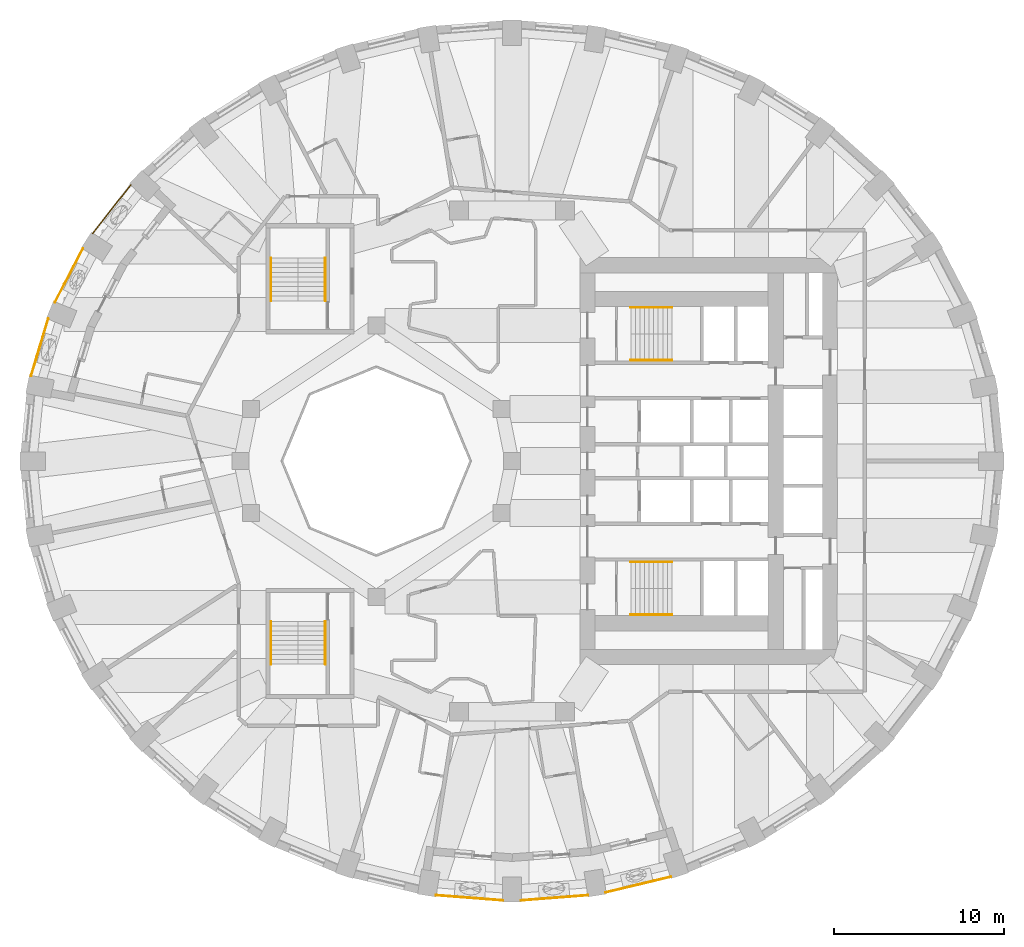
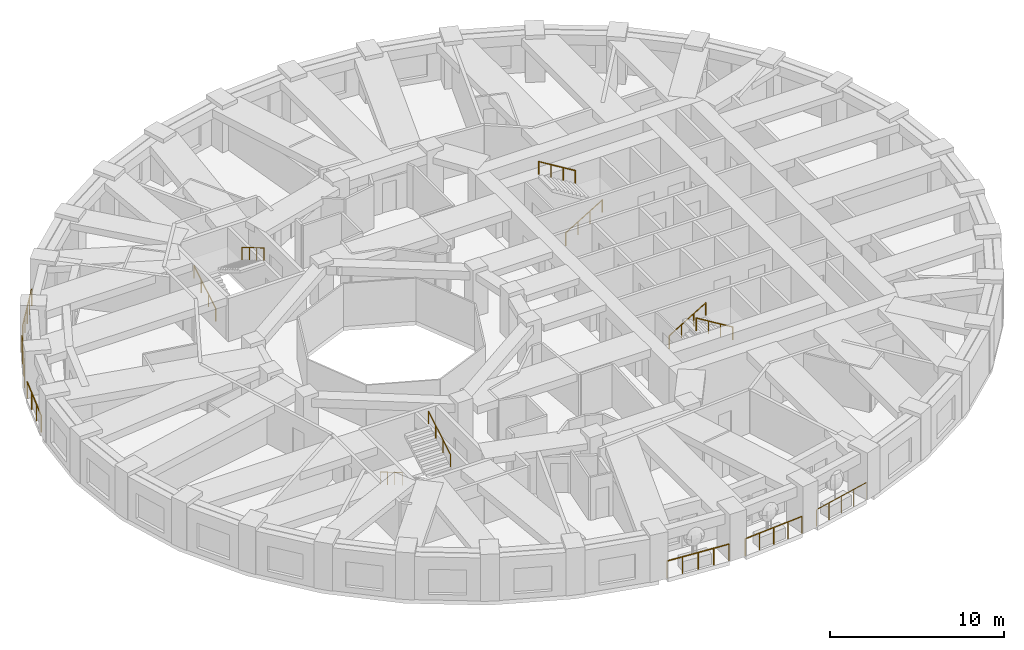
# One storey, part 11 of 13: 14 railings.
"""IFC4 building model written with IfcOpenShell, lengths in metres."""

import ifcopenshell
import ifcopenshell.guid

model = None  # the IFC model being written
_history = None  # IfcOwnerHistory: only IFC2X3 demands one
_inside = {}  # id of a spatial element -> (the spatial element, [elements in it])
_under = {}  # id of a project, library or spatial element -> (it, [spatial elements below it])
_declared = {}  # id of a project -> (the project, [libraries it declares])
_typed = {}  # id of a type object -> (the type object, [elements of that type])
_made_of = {}  # id of a material, layer set ... -> (it, [elements and type objects made of it])


def new_model(schema):
    """Start an empty IFC model of exactly this schema.

    Asked for "IFC4X3", IfcOpenShell would pick the latest addendum, in which some entities
    have other attributes; the version numbers below select the first issue.
    IFC2X3 requires an IfcOwnerHistory on every rooted entity: one is made here for all.
    """
    global model, _history
    if schema == "IFC4X3":
        model = ifcopenshell.file(schema_version=(4, 3, 0, 0))
    else:
        model = ifcopenshell.file(schema=schema)
    _inside.clear()
    _under.clear()
    _declared.clear()
    _typed.clear()
    _made_of.clear()
    _history = None
    if model.schema == "IFC2X3":
        org = make("IfcOrganization", Name="unknown")
        user = make(
            "IfcPersonAndOrganization",
            ThePerson=make("IfcPerson", FamilyName="unknown"),
            TheOrganization=org,
        )
        app = make(
            "IfcApplication",
            ApplicationDeveloper=org,
            Version="unknown",
            ApplicationFullName="unknown",
            ApplicationIdentifier="unknown",
        )
        _history = make(
            "IfcOwnerHistory",
            OwningUser=user,
            OwningApplication=app,
            ChangeAction="ADDED",
            CreationDate=0,
        )
    return model


def make(cls, **values):
    """One entity of the class cls with the attributes given. An attribute that is None is left unset."""
    return model.create_entity(
        cls, **{name: value for name, value in values.items() if value is not None}
    )


def rooted(cls, **values):
    """An entity with a GlobalId (a new one), such as an element, a storey or a relation."""
    return make(cls, GlobalId=ifcopenshell.guid.new(), OwnerHistory=_history, **values)


def si_unit(unit_type, name, prefix=None):
    """IfcSIUnit, for example si_unit("LENGTHUNIT", "METRE", prefix="MILLI")."""
    return make("IfcSIUnit", UnitType=unit_type, Prefix=prefix, Name=name)


def assignment(units):
    """IfcUnitAssignment: the units of a project."""
    return None if units is None else make("IfcUnitAssignment", Units=units)


def point(xyz):
    """IfcCartesianPoint."""
    return None if xyz is None else make("IfcCartesianPoint", Coordinates=xyz)


def direction(xyz):
    """IfcDirection."""
    return None if xyz is None else make("IfcDirection", DirectionRatios=xyz)


def frame(location, z_axis=None, x_axis=None):
    """IfcAxis2Placement3D, a coordinate frame: its origin and axes. An axis left out is left unset."""
    return make(
        "IfcAxis2Placement3D",
        Location=point(location),
        Axis=direction(z_axis),
        RefDirection=direction(x_axis),
    )


def frame_2d(location, x_axis=None):
    """IfcAxis2Placement2D, a coordinate frame in the plane: its origin and x axis."""
    return make(
        "IfcAxis2Placement2D", Location=point(location), RefDirection=direction(x_axis)
    )


def origin():
    """The frame at (0, 0, 0) with its axes left unset."""
    return frame((0.0, 0.0, 0.0))


def origin_2d():
    """The frame at (0, 0) in the plane with its x axis left unset."""
    return frame_2d((0.0, 0.0))


def place(relative_to, where):
    """IfcLocalPlacement: puts the frame where relative to a parent placement (None: the world)."""
    return make(
        "IfcLocalPlacement", PlacementRelTo=relative_to, RelativePlacement=where
    )


def context(
    kind, dimensions, precision=None, world=None, true_north=None, identifier=None
):
    """IfcGeometricRepresentationContext, for example the 3D "Model" context."""
    return make(
        "IfcGeometricRepresentationContext",
        ContextIdentifier=identifier,
        ContextType=kind,
        CoordinateSpaceDimension=dimensions,
        Precision=precision,
        WorldCoordinateSystem=world,
        TrueNorth=true_north,
    )


def subcontext(parent, identifier, kind, view, scale=None):
    """IfcGeometricRepresentationSubContext, for example "Body" below "Model"."""
    return make(
        "IfcGeometricRepresentationSubContext",
        ContextIdentifier=identifier,
        ContextType=kind,
        ParentContext=parent,
        TargetScale=scale,
        TargetView=view,
    )


def project(units=None, contexts=None):
    """IfcProject with its units and contexts."""
    return rooted(
        "IfcProject",
        Name="project",
        RepresentationContexts=contexts,
        UnitsInContext=assignment(units),
    )


def spatial(cls, under=None, at=None, **own):
    """A site, building, storey or space (cls), placed at a placement, below another one or the project."""
    s = rooted(cls, ObjectPlacement=at, **own)
    if under is not None:
        _under.setdefault(under.id(), (under, []))[1].append(s)
    return s


def profile(cls, at=None, kind="AREA", **sizes):
    """A parametric profile (cls). Its sizes go by their IFC names, for example OverallWidth=200.0."""
    return make(cls, ProfileType=kind, Position=at, **sizes)


def circle(**sizes):
    """IfcCircleProfileDef."""
    return profile("IfcCircleProfileDef", **sizes)


def extrude(swept, where, along, depth):
    """IfcExtrudedAreaSolid: the profile swept, set in the frame where, extruded along a direction by depth."""
    return make(
        "IfcExtrudedAreaSolid",
        SweptArea=swept,
        Position=where,
        ExtrudedDirection=direction(along),
        Depth=depth,
    )


def shape(context_of_items, identifier, shape_type, items):
    """IfcShapeRepresentation: the items that make up one representation, for example the "Body"."""
    return make(
        "IfcShapeRepresentation",
        ContextOfItems=context_of_items,
        RepresentationIdentifier=identifier,
        RepresentationType=shape_type,
        Items=items,
    )


def material(Name=None, Category=None):
    """IfcMaterial."""
    return make("IfcMaterial", Name=Name, Category=Category)


def made_of(thing, what):
    """Note that an element or type object is made of a material, layer set ...; save() writes the relation."""
    if what is not None:
        _made_of.setdefault(what.id(), (what, []))[1].append(thing)
    return thing


def type_object(cls, material=None, **own):
    """A type object (cls), such as IfcWallType, which elements share."""
    return made_of(rooted(cls, **own), material)


def element(
    cls,
    number,
    at=None,
    inside=None,
    cuts=None,
    type_object=None,
    material=None,
    context=None,
    identifier="Body",
    shape_type=None,
    held_by="IfcProductDefinitionShape",
    body=None,
    shapes=None,
    **own,
):
    """One element of the class cls, such as IfcWall. Its Tag is "e" and its number.

    at: its placement. inside: the storey or other place that contains it. cuts: it is an
    opening in that element (IfcRelVoidsElement). A single representation is given by context,
    identifier, shape_type and body (its items); several are given by shapes. held_by: the class
    of the entity that holds the representations. save() writes the other relations.
    """
    e = rooted(cls, Tag="e%d" % number, ObjectPlacement=at, **own)
    if body is not None:
        shapes = [shape(context, identifier, shape_type, body)]
    if shapes is not None:
        e.Representation = make(held_by, Representations=shapes)
    if inside is not None:
        _inside.setdefault(inside.id(), (inside, []))[1].append(e)
    if cuts is not None:
        rooted(
            "IfcRelVoidsElement", RelatingBuildingElement=cuts, RelatedOpeningElement=e
        )
    if type_object is not None:
        _typed.setdefault(type_object.id(), (type_object, []))[1].append(e)
    return made_of(e, material)


def aggregate(whole, parts):
    """IfcRelAggregates: a whole, such as a stair, and the parts it consists of."""
    return rooted("IfcRelAggregates", RelatingObject=whole, RelatedObjects=parts)


def save(model, path):
    """Write the relations noted so far, then the file.

    IfcRelAggregates (storeys below a building ...), IfcRelContainedInSpatialStructure (elements
    in a storey), IfcRelDefinesByType, IfcRelAssociatesMaterial and IfcRelDeclares: one each for
    every whole, place, type object, material and project.
    """
    for whole, parts in _under.values():
        aggregate(whole, parts)
    for where, things in _inside.values():
        rooted(
            "IfcRelContainedInSpatialStructure",
            RelatedElements=things,
            RelatingStructure=where,
        )
    for kind, things in _typed.values():
        rooted("IfcRelDefinesByType", RelatedObjects=things, RelatingType=kind)
    for what, things in _made_of.values():
        rooted("IfcRelAssociatesMaterial", RelatedObjects=things, RelatingMaterial=what)
    for by, libraries in _declared.values():
        rooted("IfcRelDeclares", RelatingContext=by, RelatedDefinitions=libraries)
    model.write(path)


model = new_model("IFC4")

# Units and contexts
model_context = context("Model", 3, precision=1e-05, world=origin(), true_north=direction((0.0, 1.0)))
body_context = subcontext(model_context, "Body", "Model", "MODEL_VIEW")
ifc_project = project(units=[si_unit("LENGTHUNIT", "METRE"), si_unit("AREAUNIT", "SQUARE_METRE"), si_unit("VOLUMEUNIT", "CUBIC_METRE"), si_unit("PLANEANGLEUNIT", "RADIAN"), si_unit("MASSUNIT", "GRAM", prefix="KILO")], contexts=[model_context])

# Site, building, storey
site_placement = place(None, origin())
site = spatial("IfcSite", under=ifc_project, at=site_placement, CompositionType="ELEMENT")
building_placement = place(site_placement, origin())
building = spatial("IfcBuilding", under=site, at=building_placement, Name="Taillehof Tower", CompositionType="ELEMENT")
storey_placement = place(building_placement, frame((0.0, 0.0, 34.89990234375)))
storey = spatial("IfcBuildingStorey", under=building, at=storey_placement, Name="L08", CompositionType="ELEMENT", Elevation=34.89990234375)

# Railings
ifc_material_1 = material(Name="Stainless steel balustrade", Category="steel")
railing_type_1 = type_object("IfcRailingType", Name="Balcony guard 1200", PredefinedType="GUARDRAIL", material=ifc_material_1)
railing_1_placement = place(storey_placement, frame((-22.472412109375, 16.28271484375, 0.0)))
element("IfcRailing", 1, at=railing_1_placement, inside=storey, type_object=railing_type_1, Name="Balcony guard L08 bay 15", PredefinedType="GUARDRAIL", context=body_context, shape_type="SweptSolid", body=[
    extrude(circle(Radius=0.02392578125, at=origin_2d()), frame((0.0, 0.0, 1.17578125), z_axis=(-0.616653661131, -0.787234566196, 0.0), x_axis=(0.787234566196, -0.616653661131, 0.0)), (0.0, 0.0, 1.0), 3.6396484375),
    extrude(circle(Radius=0.02099609375, at=origin_2d()), origin(), (0.0, 0.0, 1.0), 1.15185546875),
    extrude(circle(Radius=0.02099609375, at=origin_2d()), frame((-0.56103515625, -0.71630859375, 0.0)), (0.0, 0.0, 1.0), 1.15185546875),
    extrude(circle(Radius=0.02099609375, at=origin_2d()), frame((-1.1220703125, -1.4326171875, 0.0)), (0.0, 0.0, 1.0), 1.15185546875),
    extrude(circle(Radius=0.02099609375, at=origin_2d()), frame((-1.683349609375, -2.14892578125, 0.0)), (0.0, 0.0, 1.0), 1.15185546875),
    extrude(circle(Radius=0.02099609375, at=origin_2d()), frame((-2.244384765625, -2.865234375, 0.0)), (0.0, 0.0, 1.0), 1.15185546875),
])
railing_2_placement = place(storey_placement, frame((-25.291259765625, 12.526611328125, 0.0)))
element("IfcRailing", 2, at=railing_2_placement, inside=storey, type_object=railing_type_1, Name="Balcony guard L08 bay 16", PredefinedType="GUARDRAIL", context=body_context, shape_type="SweptSolid", body=[
    extrude(circle(Radius=0.02392578125, at=origin_2d()), frame((0.0, 0.0, 1.17578125), z_axis=(-0.462523854419, -0.886606837382, 0.0), x_axis=(0.886606837382, -0.462523854419, 0.0)), (0.0, 0.0, 1.0), 3.56298828125),
    extrude(circle(Radius=0.02099609375, at=origin_2d()), origin(), (0.0, 0.0, 1.0), 1.15185546875),
    extrude(circle(Radius=0.02099609375, at=origin_2d()), frame((-0.54931640625, -1.052978515625, 0.0)), (0.0, 0.0, 1.0), 1.15185546875),
    extrude(circle(Radius=0.02099609375, at=origin_2d()), frame((-1.0986328125, -2.10595703125, 0.0)), (0.0, 0.0, 1.0), 1.15185546875),
    extrude(circle(Radius=0.02099609375, at=origin_2d()), frame((-1.64794921875, -3.158935546875, 0.0)), (0.0, 0.0, 1.0), 1.15185546875),
])
railing_3_placement = place(storey_placement, frame((-27.33837890625, 8.385498046875, 0.0)))
element("IfcRailing", 3, at=railing_3_placement, inside=storey, type_object=railing_type_1, Name="Balcony guard L08 bay 17", PredefinedType="GUARDRAIL", context=body_context, shape_type="SweptSolid", body=[
    extrude(circle(Radius=0.02392578125, at=origin_2d()), frame((0.0, 0.0, 1.17578125), z_axis=(-0.287098668231, -0.957901015085, 0.0), x_axis=(0.957901015085, -0.287098668231, 0.0)), (0.0, 0.0, 1.0), 3.505126953125),
    extrude(circle(Radius=0.02099609375, at=origin_2d()), origin(), (0.0, 0.0, 1.0), 1.15185546875),
    extrude(circle(Radius=0.02099609375, at=origin_2d()), frame((-0.33544921875, -1.119140625, 0.0)), (0.0, 0.0, 1.0), 1.15185546875),
    extrude(circle(Radius=0.02099609375, at=origin_2d()), frame((-0.6708984375, -2.238525390625, 0.0)), (0.0, 0.0, 1.0), 1.15185546875),
    extrude(circle(Radius=0.02099609375, at=origin_2d()), frame((-1.00634765625, -3.357666015625, 0.0)), (0.0, 0.0, 1.0), 1.15185546875),
])
railing_4_placement = place(storey_placement, frame((-4.483154296875, -25.589111328125, 0.0)))
element("IfcRailing", 4, at=railing_4_placement, inside=storey, type_object=railing_type_1, Name="Balcony guard L08 bay 27", PredefinedType="GUARDRAIL", context=body_context, shape_type="SweptSolid", body=[
    extrude(circle(Radius=0.02392578125, at=origin_2d()), frame((0.0, 0.0, 1.17578125), z_axis=(0.996952571778, -0.078010061045, 0.0), x_axis=(0.078010061045, 0.996952571778, 0.0)), (0.0, 0.0, 1.0), 3.965087890625),
    extrude(circle(Radius=0.02099609375, at=origin_2d()), origin(), (0.0, 0.0, 1.0), 1.15185546875),
    extrude(circle(Radius=0.02099609375, at=origin_2d()), frame((0.98828125, -0.077392578125, 0.0)), (0.0, 0.0, 1.0), 1.15185546875),
    extrude(circle(Radius=0.02099609375, at=origin_2d()), frame((1.9765625, -0.15478515625, 0.0)), (0.0, 0.0, 1.0), 1.15185546875),
    extrude(circle(Radius=0.02099609375, at=origin_2d()), frame((2.96484375, -0.23193359375, 0.0)), (0.0, 0.0, 1.0), 1.15185546875),
    extrude(circle(Radius=0.02099609375, at=origin_2d()), frame((3.953125, -0.309326171875, 0.0)), (0.0, 0.0, 1.0), 1.15185546875),
])
railing_5_placement = place(storey_placement, frame((0.530029296875, -25.8984375, 0.0)))
element("IfcRailing", 5, at=railing_5_placement, inside=storey, type_object=railing_type_1, Name="Balcony guard L08 bay 28", PredefinedType="GUARDRAIL", context=body_context, shape_type="SweptSolid", body=[
    extrude(circle(Radius=0.02392578125, at=origin_2d()), frame((0.0, 0.0, 1.17578125), z_axis=(0.996952571778, 0.078010061045, 0.0), x_axis=(-0.078010061045, 0.996952571778, 0.0)), (0.0, 0.0, 1.0), 3.965087890625),
    extrude(circle(Radius=0.02099609375, at=origin_2d()), origin(), (0.0, 0.0, 1.0), 1.15185546875),
    extrude(circle(Radius=0.02099609375, at=origin_2d()), frame((0.98828125, 0.077392578125, 0.0)), (0.0, 0.0, 1.0), 1.15185546875),
    extrude(circle(Radius=0.02099609375, at=origin_2d()), frame((1.9765625, 0.15478515625, 0.0)), (0.0, 0.0, 1.0), 1.15185546875),
    extrude(circle(Radius=0.02099609375, at=origin_2d()), frame((2.96484375, 0.23193359375, 0.0)), (0.0, 0.0, 1.0), 1.15185546875),
    extrude(circle(Radius=0.02099609375, at=origin_2d()), frame((3.953125, 0.309326171875, 0.0)), (0.0, 0.0, 1.0), 1.15185546875),
])
railing_6_placement = place(storey_placement, frame((5.5302734375, -25.423828125, 0.0)))
element("IfcRailing", 6, at=railing_6_placement, inside=storey, type_object=railing_type_1, Name="Balcony guard L08 bay 29", PredefinedType="GUARDRAIL", context=body_context, shape_type="SweptSolid", body=[
    extrude(circle(Radius=0.02392578125, at=origin_2d()), frame((0.0, 0.0, 1.17578125), z_axis=(0.972495275648, 0.232922602687, 0.0), x_axis=(-0.232922602687, 0.972495275648, 0.0)), (0.0, 0.0, 1.0), 3.93701171875),
    extrude(circle(Radius=0.02099609375, at=origin_2d()), origin(), (0.0, 0.0, 1.0), 1.15185546875),
    extrude(circle(Radius=0.02099609375, at=origin_2d()), frame((0.95703125, 0.229248046875, 0.0)), (0.0, 0.0, 1.0), 1.15185546875),
    extrude(circle(Radius=0.02099609375, at=origin_2d()), frame((1.914306640625, 0.45849609375, 0.0)), (0.0, 0.0, 1.0), 1.15185546875),
    extrude(circle(Radius=0.02099609375, at=origin_2d()), frame((2.87158203125, 0.687744140625, 0.0)), (0.0, 0.0, 1.0), 1.15185546875),
    extrude(circle(Radius=0.02099609375, at=origin_2d()), frame((3.82861328125, 0.9169921875, 0.0)), (0.0, 0.0, 1.0), 1.15185546875),
])
ifc_material_2 = material(Name="Stainless steel", Category="steel")
railing_type_2 = type_object("IfcRailingType", Name="Stair handrail 900", PredefinedType="HANDRAIL", material=ifc_material_2)
railing_7_placement = place(storey_placement, frame((7.0, 5.949951171875, 0.1650390625)))
element("IfcRailing", 7, at=railing_7_placement, inside=storey, type_object=railing_type_2, Name="Stair S1 handrail", PredefinedType="HANDRAIL", context=body_context, shape_type="SweptSolid", body=[
    extrude(circle(Radius=0.02392578125, at=origin_2d()), frame((0.0, 0.0, 0.8759765625), z_axis=(0.853258522278, 0.0, 0.521488153423), x_axis=(0.0, 1.0, 0.0)), (0.0, 0.0, 1.0), 2.847900390625),
    extrude(circle(Radius=0.02099609375, at=origin_2d()), origin(), (0.0, 0.0, 1.0), 0.851806640625),
    extrude(circle(Radius=0.02099609375, at=origin_2d()), frame((0.81005859375, 0.0, 0.4951171875)), (0.0, 0.0, 1.0), 0.851806640625),
    extrude(circle(Radius=0.02099609375, at=origin_2d()), frame((1.619873046875, 0.0, 0.989990234375)), (0.0, 0.0, 1.0), 0.851806640625),
    extrude(circle(Radius=0.02099609375, at=origin_2d()), frame((2.429931640625, 0.0, 1.485107421875)), (0.0, 0.0, 1.0), 0.851806640625),
])
railing_8_placement = place(storey_placement, frame((9.429931640625, 9.050048828125, 1.815185546875)))
element("IfcRailing", 8, at=railing_8_placement, inside=storey, type_object=railing_type_2, Name="Stair S1 handrail", PredefinedType="HANDRAIL", context=body_context, shape_type="SweptSolid", body=[
    extrude(circle(Radius=0.02392578125, at=origin_2d()), frame((0.0, 0.0, 0.8759765625), z_axis=(-0.853296667938, 0.0, 0.521425734392), x_axis=(0.0, -1.0, 0.0)), (0.0, 0.0, 1.0), 2.84765625),
    extrude(circle(Radius=0.02099609375, at=origin_2d()), origin(), (0.0, 0.0, 1.0), 0.851806640625),
    extrude(circle(Radius=0.02099609375, at=origin_2d()), frame((-0.81005859375, 0.0, 0.494873046875)), (0.0, 0.0, 1.0), 0.851806640625),
    extrude(circle(Radius=0.02099609375, at=origin_2d()), frame((-1.619873046875, 0.0, 0.989990234375)), (0.0, 0.0, 1.0), 0.851806640625),
    extrude(circle(Radius=0.02099609375, at=origin_2d()), frame((-2.429931640625, 0.0, 1.48486328125)), (0.0, 0.0, 1.0), 0.851806640625),
])
railing_9_placement = place(storey_placement, frame((7.0, -5.949951171875, 0.1650390625)))
element("IfcRailing", 9, at=railing_9_placement, inside=storey, type_object=railing_type_2, Name="Stair S2 handrail", PredefinedType="HANDRAIL", context=body_context, shape_type="SweptSolid", body=[
    extrude(circle(Radius=0.02392578125, at=origin_2d()), frame((0.0, 0.0, 0.8759765625), z_axis=(0.853258522278, 0.0, 0.521488153423), x_axis=(0.0, 1.0, 0.0)), (0.0, 0.0, 1.0), 2.847900390625),
    extrude(circle(Radius=0.02099609375, at=origin_2d()), origin(), (0.0, 0.0, 1.0), 0.851806640625),
    extrude(circle(Radius=0.02099609375, at=origin_2d()), frame((0.81005859375, 0.0, 0.4951171875)), (0.0, 0.0, 1.0), 0.851806640625),
    extrude(circle(Radius=0.02099609375, at=origin_2d()), frame((1.619873046875, 0.0, 0.989990234375)), (0.0, 0.0, 1.0), 0.851806640625),
    extrude(circle(Radius=0.02099609375, at=origin_2d()), frame((2.429931640625, 0.0, 1.485107421875)), (0.0, 0.0, 1.0), 0.851806640625),
])
railing_10_placement = place(storey_placement, frame((9.429931640625, -9.050048828125, 1.815185546875)))
element("IfcRailing", 10, at=railing_10_placement, inside=storey, type_object=railing_type_2, Name="Stair S2 handrail", PredefinedType="HANDRAIL", context=body_context, shape_type="SweptSolid", body=[
    extrude(circle(Radius=0.02392578125, at=origin_2d()), frame((0.0, 0.0, 0.8759765625), z_axis=(-0.853296667938, 0.0, 0.521425734392), x_axis=(0.0, -1.0, 0.0)), (0.0, 0.0, 1.0), 2.84765625),
    extrude(circle(Radius=0.02099609375, at=origin_2d()), origin(), (0.0, 0.0, 1.0), 0.851806640625),
    extrude(circle(Radius=0.02099609375, at=origin_2d()), frame((-0.81005859375, 0.0, 0.494873046875)), (0.0, 0.0, 1.0), 0.851806640625),
    extrude(circle(Radius=0.02099609375, at=origin_2d()), frame((-1.619873046875, 0.0, 0.989990234375)), (0.0, 0.0, 1.0), 0.851806640625),
    extrude(circle(Radius=0.02099609375, at=origin_2d()), frame((-2.429931640625, 0.0, 1.48486328125)), (0.0, 0.0, 1.0), 0.851806640625),
])
railing_11_placement = place(storey_placement, frame((-14.199951171875, 9.449951171875, 0.1650390625)))
element("IfcRailing", 11, at=railing_11_placement, inside=storey, type_object=railing_type_2, Name="Stair S3 handrail", PredefinedType="HANDRAIL", context=body_context, shape_type="SweptSolid", body=[
    extrude(circle(Radius=0.02392578125, at=origin_2d()), frame((0.0, 0.0, 0.8759765625), z_axis=(0.0, 0.86152411907, 0.507716645641), x_axis=(-1.0, 0.0, 0.0)), (0.0, 0.0, 1.0), 2.925048828125),
    extrude(circle(Radius=0.02099609375, at=origin_2d()), origin(), (0.0, 0.0, 1.0), 0.851806640625),
    extrude(circle(Radius=0.02099609375, at=origin_2d()), frame((0.0, 0.840087890625, 0.4951171875)), (0.0, 0.0, 1.0), 0.851806640625),
    extrude(circle(Radius=0.02099609375, at=origin_2d()), frame((0.0, 1.679931640625, 0.989990234375)), (0.0, 0.0, 1.0), 0.851806640625),
    extrude(circle(Radius=0.02099609375, at=origin_2d()), frame((0.0, 2.52001953125, 1.485107421875)), (0.0, 0.0, 1.0), 0.851806640625),
])
railing_12_placement = place(storey_placement, frame((-11.0, 11.969970703125, 1.815185546875)))
element("IfcRailing", 12, at=railing_12_placement, inside=storey, type_object=railing_type_2, Name="Stair S3 handrail", PredefinedType="HANDRAIL", context=body_context, shape_type="SweptSolid", body=[
    extrude(circle(Radius=0.02392578125, at=origin_2d()), frame((0.0, 0.0, 0.8759765625), z_axis=(0.0, -0.861560626758, 0.507654692109), x_axis=(1.0, 0.0, 0.0)), (0.0, 0.0, 1.0), 2.925048828125),
    extrude(circle(Radius=0.02099609375, at=origin_2d()), origin(), (0.0, 0.0, 1.0), 0.851806640625),
    extrude(circle(Radius=0.02099609375, at=origin_2d()), frame((0.0, -0.840087890625, 0.494873046875)), (0.0, 0.0, 1.0), 0.851806640625),
    extrude(circle(Radius=0.02099609375, at=origin_2d()), frame((0.0, -1.679931640625, 0.989990234375)), (0.0, 0.0, 1.0), 0.851806640625),
    extrude(circle(Radius=0.02099609375, at=origin_2d()), frame((0.0, -2.52001953125, 1.48486328125)), (0.0, 0.0, 1.0), 0.851806640625),
])
railing_13_placement = place(storey_placement, frame((-14.199951171875, -9.449951171875, 0.1650390625)))
element("IfcRailing", 13, at=railing_13_placement, inside=storey, type_object=railing_type_2, Name="Stair S4 handrail", PredefinedType="HANDRAIL", context=body_context, shape_type="SweptSolid", body=[
    extrude(circle(Radius=0.02392578125, at=origin_2d()), frame((0.0, 0.0, 0.8759765625), z_axis=(0.0, -0.86152411907, 0.507716645641), x_axis=(1.0, 0.0, 0.0)), (0.0, 0.0, 1.0), 2.925048828125),
    extrude(circle(Radius=0.02099609375, at=origin_2d()), origin(), (0.0, 0.0, 1.0), 0.851806640625),
    extrude(circle(Radius=0.02099609375, at=origin_2d()), frame((0.0, -0.840087890625, 0.4951171875)), (0.0, 0.0, 1.0), 0.851806640625),
    extrude(circle(Radius=0.02099609375, at=origin_2d()), frame((0.0, -1.679931640625, 0.989990234375)), (0.0, 0.0, 1.0), 0.851806640625),
    extrude(circle(Radius=0.02099609375, at=origin_2d()), frame((0.0, -2.52001953125, 1.485107421875)), (0.0, 0.0, 1.0), 0.851806640625),
])
railing_14_placement = place(storey_placement, frame((-11.0, -11.969970703125, 1.815185546875)))
element("IfcRailing", 14, at=railing_14_placement, inside=storey, type_object=railing_type_2, Name="Stair S4 handrail", PredefinedType="HANDRAIL", context=body_context, shape_type="SweptSolid", body=[
    extrude(circle(Radius=0.02392578125, at=origin_2d()), frame((0.0, 0.0, 0.8759765625), z_axis=(0.0, 0.861560626758, 0.507654692109), x_axis=(-1.0, 0.0, 0.0)), (0.0, 0.0, 1.0), 2.925048828125),
    extrude(circle(Radius=0.02099609375, at=origin_2d()), origin(), (0.0, 0.0, 1.0), 0.851806640625),
    extrude(circle(Radius=0.02099609375, at=origin_2d()), frame((0.0, 0.840087890625, 0.494873046875)), (0.0, 0.0, 1.0), 0.851806640625),
    extrude(circle(Radius=0.02099609375, at=origin_2d()), frame((0.0, 1.679931640625, 0.989990234375)), (0.0, 0.0, 1.0), 0.851806640625),
    extrude(circle(Radius=0.02099609375, at=origin_2d()), frame((0.0, 2.52001953125, 1.48486328125)), (0.0, 0.0, 1.0), 0.851806640625),
])

save(model, "model.ifc")
